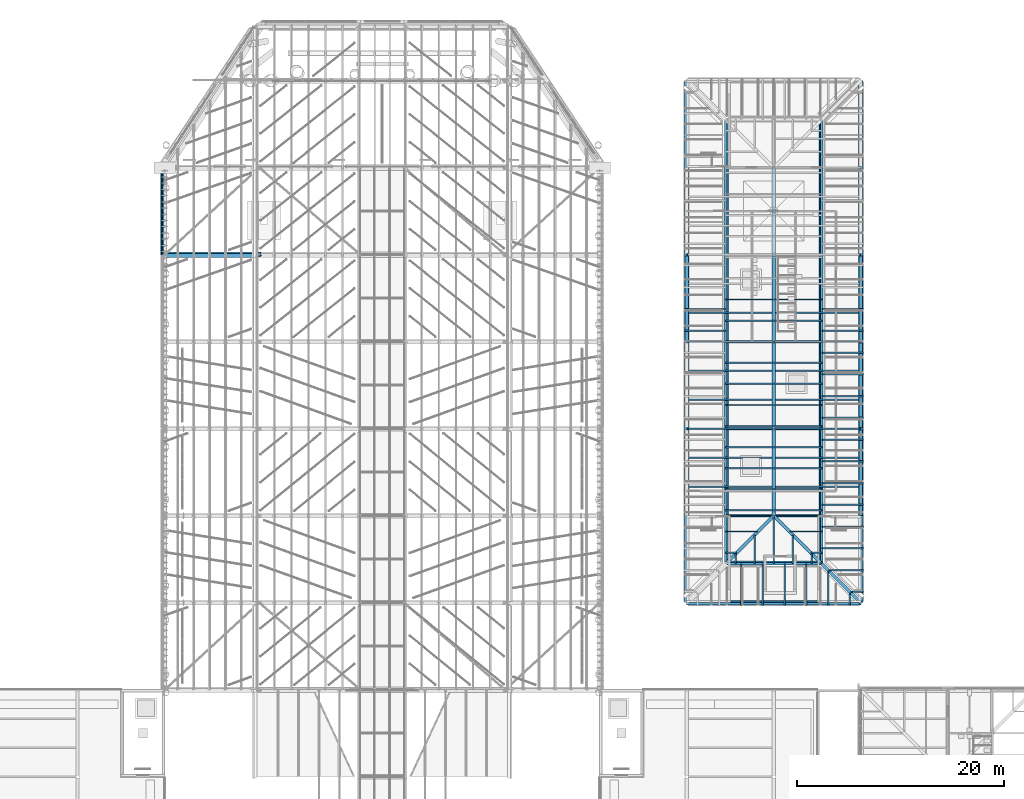
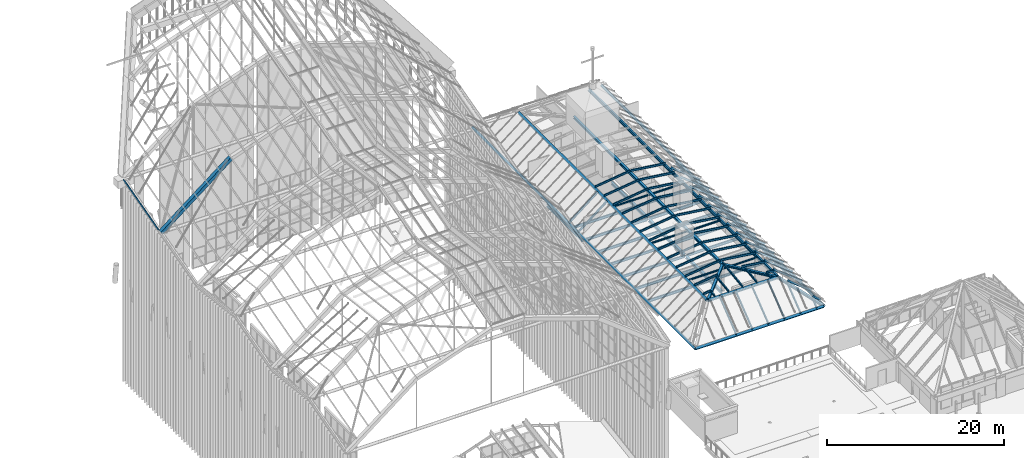
# One storey, part 50 of 126: 57 members, 32 beams.
"""IFC4 building model written with IfcOpenShell, lengths in metres."""

from ifc_helpers import new_model, si_unit, direction, frame, origin, origin_2d, place, context, subcontext, project, spatial, polyline, hollow_circle, i_section, outline, extrude, material, material_profile, profile_set, type_object, element, save


model = new_model("IFC4")

# Units and contexts
model_context = context("Model", 3, precision=1e-05, world=origin(), true_north=direction((0.0, 1.0)))
body_context = subcontext(model_context, "Body", "Model", "MODEL_VIEW")
ifc_project = project(units=[si_unit("LENGTHUNIT", "METRE"), si_unit("AREAUNIT", "SQUARE_METRE"), si_unit("VOLUMEUNIT", "CUBIC_METRE"), si_unit("PLANEANGLEUNIT", "RADIAN"), si_unit("MASSUNIT", "GRAM", prefix="KILO")], contexts=[model_context])

# Site, building, storey
site_placement = place(None, origin())
site = spatial("IfcSite", under=ifc_project, at=site_placement, CompositionType="ELEMENT")
building_placement = place(site_placement, origin())
building = spatial("IfcBuilding", under=site, at=building_placement, Name="Sava Quay Ferry Terminal", CompositionType="ELEMENT")
storey_placement = place(building_placement, frame((0.0, 0.0, 15.0)))
storey = spatial("IfcBuildingStorey", under=building, at=storey_placement, Name="L03", CompositionType="ELEMENT", Elevation=15.0)

# Beams
ifc_material_1 = material(Name="Steel S355", Category="steel")
ifc_material_profile_1 = material_profile(ifc_material_1, i_section(OverallWidth=0.169921875, OverallDepth=0.360107421875, WebThickness=0.008056640625, FlangeThickness=0.0126953125, at=origin_2d()), Name="IPE 360")
ifc_profile_set_1 = profile_set([ifc_material_profile_1], Name="Steel S355")
beam_type_1 = type_object("IfcBeamType", Name="Beam IPE 360", PredefinedType="BEAM", material=ifc_profile_set_1)
beam_1_placement = place(storey_placement, frame((92.530029296875, 75.60009765625, -0.31005859375), z_axis=(1.0, 0.0, 0.0), x_axis=(0.0, 1.0, 0.0)))
element("IfcBeam", 1, at=beam_1_placement, inside=storey, type_object=beam_type_1, Name="Beam L03", PredefinedType="BEAM", context=body_context, shape_type="SweptSolid", body=[
    extrude(i_section(OverallWidth=0.169921875, OverallDepth=0.360107421875, WebThickness=0.008056640625, FlangeThickness=0.0126953125, at=origin_2d()), origin(), (0.0, 0.0, 1.0), 8.139892578125),
])
beam_2_placement = place(storey_placement, frame((100.929931640625, 75.60009765625, -0.31005859375), z_axis=(1.0, 0.0, 0.0), x_axis=(0.0, 1.0, 0.0)))
element("IfcBeam", 2, at=beam_2_placement, inside=storey, type_object=beam_type_1, Name="Beam L03", PredefinedType="BEAM", context=body_context, shape_type="SweptSolid", body=[
    extrude(i_section(OverallWidth=0.169921875, OverallDepth=0.360107421875, WebThickness=0.008056640625, FlangeThickness=0.0126953125, at=origin_2d()), origin(), (0.0, 0.0, 1.0), 8.14013671875),
])
beam_3_placement = place(storey_placement, frame((92.530029296875, 84.0, -0.31005859375), z_axis=(1.0, 0.0, 0.0), x_axis=(0.0, 1.0, 0.0)))
element("IfcBeam", 3, at=beam_3_placement, inside=storey, type_object=beam_type_1, Name="Beam L03", PredefinedType="BEAM", context=body_context, shape_type="SweptSolid", body=[
    extrude(i_section(OverallWidth=0.169921875, OverallDepth=0.360107421875, WebThickness=0.008056640625, FlangeThickness=0.0126953125, at=origin_2d()), origin(), (0.0, 0.0, 1.0), 8.139892578125),
])
beam_4_placement = place(storey_placement, frame((100.929931640625, 84.0, -0.31005859375), z_axis=(1.0, 0.0, 0.0), x_axis=(0.0, 1.0, 0.0)))
element("IfcBeam", 4, at=beam_4_placement, inside=storey, type_object=beam_type_1, Name="Beam L03", PredefinedType="BEAM", context=body_context, shape_type="SweptSolid", body=[
    extrude(i_section(OverallWidth=0.169921875, OverallDepth=0.360107421875, WebThickness=0.008056640625, FlangeThickness=0.0126953125, at=origin_2d()), origin(), (0.0, 0.0, 1.0), 8.14013671875),
])
for number, where, z_axis, x_axis, name in (
    (5, (92.550048828125, 70.0, -0.31005859375), (1.0, 0.0, 0.0), (0.0, 1.0, 0.0), "Secondary beam L03"),
    (6, (92.550048828125, 72.800048828125, -0.31005859375), (1.0, 0.0, 0.0), (0.0, 1.0, 0.0), "Secondary beam L03"),
    (7, (92.550048828125, 78.39990234375, -0.31005859375), (1.0, 0.0, 0.0), (0.0, 1.0, 0.0), "Secondary beam L03"),
    (8, (92.550048828125, 81.199951171875, -0.31005859375), (1.0, 0.0, 0.0), (0.0, 1.0, 0.0), "Secondary beam L03"),
    (9, (92.550048828125, 86.800048828125, -0.31005859375), (1.0, 0.0, 0.0), (0.0, 1.0, 0.0), "Secondary beam L03"),
):
    element("IfcBeam", number, at=place(storey_placement, frame(where, z_axis=z_axis, x_axis=x_axis)), inside=storey, type_object=beam_type_1, Name=name, PredefinedType="BEAM", context=body_context, shape_type="SweptSolid", body=[
        extrude(i_section(OverallWidth=0.169921875, OverallDepth=0.360107421875, WebThickness=0.008056640625, FlangeThickness=0.0126953125, at=origin_2d()), origin(), (0.0, 0.0, 1.0), 8.099853515625),
    ])
for number, where, z_axis, x_axis, name in (
    (10, (100.949951171875, 70.0, -0.31005859375), (1.0, 0.0, 0.0), (0.0, 1.0, 0.0), "Secondary beam L03"),
    (11, (100.949951171875, 72.800048828125, -0.31005859375), (1.0, 0.0, 0.0), (0.0, 1.0, 0.0), "Secondary beam L03"),
    (12, (100.949951171875, 78.39990234375, -0.31005859375), (1.0, 0.0, 0.0), (0.0, 1.0, 0.0), "Secondary beam L03"),
    (13, (100.949951171875, 81.199951171875, -0.31005859375), (1.0, 0.0, 0.0), (0.0, 1.0, 0.0), "Secondary beam L03"),
    (14, (100.949951171875, 86.800048828125, -0.31005859375), (1.0, 0.0, 0.0), (0.0, 1.0, 0.0), "Secondary beam L03"),
):
    element("IfcBeam", number, at=place(storey_placement, frame(where, z_axis=z_axis, x_axis=x_axis)), inside=storey, type_object=beam_type_1, Name=name, PredefinedType="BEAM", context=body_context, shape_type="SweptSolid", body=[
        extrude(i_section(OverallWidth=0.169921875, OverallDepth=0.360107421875, WebThickness=0.008056640625, FlangeThickness=0.0126953125, at=origin_2d()), origin(), (0.0, 0.0, 1.0), 8.10009765625),
    ])
ifc_material_2 = material(Name="Steel S355", Category="steel")
ifc_material_profile_2 = material_profile(ifc_material_2, outline(polyline([(-0.199951171875, -0.300048828125), (0.199951171875, -0.300048828125), (0.199951171875, 0.300048828125), (-0.199951171875, 0.300048828125), (-0.199951171875, -0.300048828125)]), holes=[polyline([(-0.175048828125, -0.27490234375), (-0.175048828125, 0.27490234375), (0.175048828125, 0.27490234375), (0.175048828125, -0.27490234375), (-0.175048828125, -0.27490234375)])]), Name="Box 600x400x25 built-up")
ifc_profile_set_2 = profile_set([ifc_material_profile_2], Name="Steel S355")
beam_type_2 = type_object("IfcBeamType", Name="D folded rib Box 600x400x25", PredefinedType="BEAM", material=ifc_profile_set_2)
beam_5_placement = place(storey_placement, frame((42.0, 92.39990234375, 13.326904296875), z_axis=(0.788000093929, 0.0, 0.615675118847), x_axis=(-0.129744918998, 0.977543008469, 0.166059996949)))
element("IfcBeam", 15, at=beam_5_placement, inside=storey, type_object=beam_type_2, Name="Departure hall folded rib R5 seg 1", PredefinedType="BEAM", context=body_context, shape_type="SweptSolid", body=[
    extrude(outline(polyline([(-0.199951171875, -0.300048828125), (0.199951171875, -0.300048828125), (0.199951171875, 0.300048828125), (-0.199951171875, 0.300048828125), (-0.199951171875, -0.300048828125)]), holes=[polyline([(-0.175048828125, -0.27490234375), (-0.175048828125, 0.27490234375), (0.175048828125, 0.27490234375), (0.175048828125, -0.27490234375), (-0.175048828125, -0.27490234375)])]), origin(), (0.0, 0.0, 1.0), 11.586181640625),
])
ifc_material_3 = material(Name="Steel S355", Category="steel")
ifc_material_profile_3 = material_profile(ifc_material_3, i_section(OverallWidth=0.300048828125, OverallDepth=0.389892578125, WebThickness=0.010986328125, FlangeThickness=0.01904296875, at=origin_2d()), Name="HE 400 A")
ifc_profile_set_3 = profile_set([ifc_material_profile_3], Name="Steel S355")
beam_type_3 = type_object("IfcBeamType", Name="Girder HE 400 A", PredefinedType="BEAM", material=ifc_profile_set_3)
beam_6_placement = place(storey_placement, frame((100.800048828125, 67.330078125, -0.324951171875), z_axis=(0.0, 1.0, 0.0), x_axis=(-1.0, 0.0, 0.0)))
element("IfcBeam", 16, at=beam_6_placement, inside=storey, type_object=beam_type_3, Name="Girder L03", PredefinedType="BEAM", context=body_context, shape_type="SweptSolid", body=[
    extrude(i_section(OverallWidth=0.300048828125, OverallDepth=0.389892578125, WebThickness=0.010986328125, FlangeThickness=0.01904296875, at=origin_2d()), origin(), (0.0, 0.0, 1.0), 8.139892578125),
])
for number, where, z_axis, x_axis, name in (
    (17, (100.800048828125, 75.72998046875, -0.324951171875), (0.0, 1.0, 0.0), (-1.0, 0.0, 0.0), "Girder L03"),
    (18, (100.800048828125, 84.1298828125, -0.324951171875), (0.0, 1.0, 0.0), (-1.0, 0.0, 0.0), "Girder L03"),
    (19, (92.39990234375, 84.1298828125, -0.41162109375), (0.0, 1.0, 0.0), (-1.0, 0.0, 0.0), "Girder L03"),
):
    element("IfcBeam", number, at=place(storey_placement, frame(where, z_axis=z_axis, x_axis=x_axis)), inside=storey, type_object=beam_type_3, Name=name, PredefinedType="BEAM", context=body_context, shape_type="SweptSolid", body=[
        extrude(i_section(OverallWidth=0.300048828125, OverallDepth=0.389892578125, WebThickness=0.010986328125, FlangeThickness=0.01904296875, at=origin_2d()), origin(), (0.0, 0.0, 1.0), 8.14013671875),
    ])
beam_7_placement = place(storey_placement, frame((109.199951171875, 67.199951171875, -0.41162109375), z_axis=(0.0, 1.0, 0.0), x_axis=(-1.0, 0.0, 0.0)))
element("IfcBeam", 20, at=beam_7_placement, inside=storey, type_object=beam_type_3, Name="Girder L03", PredefinedType="BEAM", context=body_context, shape_type="SweptSolid", body=[
    extrude(i_section(OverallWidth=0.300048828125, OverallDepth=0.389892578125, WebThickness=0.010986328125, FlangeThickness=0.01904296875, at=origin_2d()), origin(), (0.0, 0.0, 1.0), 8.27001953125),
])
for number, where, z_axis, x_axis, name in (
    (21, (109.199951171875, 75.72998046875, -0.41162109375), (0.0, 1.0, 0.0), (-1.0, 0.0, 0.0), "Girder L03"),
    (22, (109.199951171875, 84.1298828125, -0.41162109375), (0.0, 1.0, 0.0), (-1.0, 0.0, 0.0), "Girder L03"),
):
    element("IfcBeam", number, at=place(storey_placement, frame(where, z_axis=z_axis, x_axis=x_axis)), inside=storey, type_object=beam_type_3, Name=name, PredefinedType="BEAM", context=body_context, shape_type="SweptSolid", body=[
        extrude(i_section(OverallWidth=0.300048828125, OverallDepth=0.389892578125, WebThickness=0.010986328125, FlangeThickness=0.01904296875, at=origin_2d()), origin(), (0.0, 0.0, 1.0), 8.14013671875),
    ])

# Members
ifc_material_4 = material(Name="Steel S355", Category="steel")
ifc_material_profile_4 = material_profile(ifc_material_4, hollow_circle(Radius=0.122314453125, WallThickness=0.008056640625, at=origin_2d()), Name="CHS 244.5 x 8.0")
ifc_profile_set_4 = profile_set([ifc_material_profile_4], Name="Steel S355")
member_type_1 = type_object("IfcMemberType", Name="Knee tie CHS 244.5x8", PredefinedType="USERDEFINED", material=ifc_profile_set_4)
for number, where, z_axis, x_axis, name in (
    (23, (96.21826171875, 67.199951171875, 3.0), (1.0, 0.0, 0.0), (0.0, 1.0, 0.0), "Mansard knee tie O-tie.0"),
    (24, (96.21826171875, 75.60009765625, 3.0), (1.0, 0.0, 0.0), (0.0, 1.0, 0.0), "Mansard knee tie O-tie.1"),
    (25, (96.21826171875, 84.0, 3.0), (1.0, 0.0, 0.0), (0.0, 1.0, 0.0), "Mansard knee tie O-tie.2"),
):
    element("IfcMember", number, at=place(storey_placement, frame(where, z_axis=z_axis, x_axis=x_axis)), inside=storey, type_object=member_type_1, Name=name, ObjectType="KNEE TIE", PredefinedType="USERDEFINED", context=body_context, shape_type="SweptSolid", body=[
        extrude(hollow_circle(Radius=0.122314453125, WallThickness=0.008056640625, at=origin_2d()), origin(), (0.0, 0.0, 1.0), 9.16357421875),
    ])

# Beams
ifc_material_5 = material(Name="Steel S355", Category="steel")
ifc_material_profile_5 = material_profile(ifc_material_5, i_section(OverallWidth=0.300048828125, OverallDepth=0.2900390625, WebThickness=0.008544921875, FlangeThickness=0.013916015625, at=origin_2d()), Name="HE 300 A")
ifc_profile_set_5 = profile_set([ifc_material_profile_5], Name="Steel S355")
beam_type_4 = type_object("IfcBeamType", Name="Mansard beam HE 300 A", PredefinedType="BEAM", material=ifc_profile_set_5)
beam_8_placement = place(storey_placement, frame((96.21826171875, 62.6181640625, 3.0), z_axis=(1.0, 0.0, 0.0), x_axis=(0.0, 0.921802970652, 0.387658720137)))
element("IfcBeam", 26, at=beam_8_placement, inside=storey, type_object=beam_type_4, Name="Mansard knee beam knee.0", PredefinedType="BEAM", context=body_context, shape_type="SweptSolid", body=[
    extrude(i_section(OverallWidth=0.300048828125, OverallDepth=0.2900390625, WebThickness=0.008544921875, FlangeThickness=0.013916015625, at=origin_2d()), origin(), (0.0, 0.0, 1.0), 9.16357421875),
])
beam_9_placement = place(storey_placement, frame((92.39990234375, 58.800048828125, 0.0), z_axis=(1.0, 0.0, 0.0), x_axis=(0.0, 0.786318338826, 0.617821551927)))
element("IfcBeam", 27, at=beam_9_placement, inside=storey, type_object=beam_type_4, Name="Mansard eave beam eave.0", PredefinedType="BEAM", context=body_context, shape_type="SweptSolid", body=[
    extrude(i_section(OverallWidth=0.300048828125, OverallDepth=0.2900390625, WebThickness=0.008544921875, FlangeThickness=0.013916015625, at=origin_2d()), origin(), (0.0, 0.0, 1.0), 16.800048828125),
])
beam_10_placement = place(storey_placement, frame((109.199951171875, 58.800048828125, 0.0), z_axis=(-0.618112557481, 0.618112557481, 0.485668335976), x_axis=(-0.707106781187, -0.707106781187, 0.0)))
element("IfcBeam", 28, at=beam_10_placement, inside=storey, type_object=beam_type_4, Name="Mansard hip beam hip.E1", PredefinedType="BEAM", context=body_context, shape_type="SweptSolid", body=[
    extrude(i_section(OverallWidth=0.300048828125, OverallDepth=0.2900390625, WebThickness=0.008544921875, FlangeThickness=0.013916015625, at=origin_2d()), origin(), (0.0, 0.0, 1.0), 6.177001953125),
])
beam_11_placement = place(storey_placement, frame((105.3818359375, 62.6181640625, 3.0), z_axis=(0.0, 1.0, 0.0), x_axis=(-0.921802970652, 0.0, 0.387658720137)))
element("IfcBeam", 29, at=beam_11_placement, inside=storey, type_object=beam_type_4, Name="Mansard knee beam knee.1", PredefinedType="BEAM", context=body_context, shape_type="SweptSolid", body=[
    extrude(i_section(OverallWidth=0.300048828125, OverallDepth=0.2900390625, WebThickness=0.008544921875, FlangeThickness=0.013916015625, at=origin_2d()), origin(), (0.0, 0.0, 1.0), 42.763671875),
])
beam_12_placement = place(storey_placement, frame((109.199951171875, 58.800048828125, 0.0), z_axis=(0.0, 1.0, 0.0), x_axis=(-0.786318338826, 0.0, 0.617821551927)))
element("IfcBeam", 30, at=beam_12_placement, inside=storey, type_object=beam_type_4, Name="Mansard eave beam eave.1", PredefinedType="BEAM", context=body_context, shape_type="SweptSolid", body=[
    extrude(i_section(OverallWidth=0.300048828125, OverallDepth=0.2900390625, WebThickness=0.008544921875, FlangeThickness=0.013916015625, at=origin_2d()), origin(), (0.0, 0.0, 1.0), 50.39990234375),
])
beam_13_placement = place(storey_placement, frame((96.21826171875, 105.3818359375, 3.0), z_axis=(0.0, -1.0, 0.0), x_axis=(0.921802970652, 0.0, 0.387658720137)))
element("IfcBeam", 31, at=beam_13_placement, inside=storey, type_object=beam_type_4, Name="Mansard knee beam knee.3", PredefinedType="BEAM", context=body_context, shape_type="SweptSolid", body=[
    extrude(i_section(OverallWidth=0.300048828125, OverallDepth=0.2900390625, WebThickness=0.008544921875, FlangeThickness=0.013916015625, at=origin_2d()), origin(), (0.0, 0.0, 1.0), 42.763671875),
])
beam_14_placement = place(storey_placement, frame((92.39990234375, 109.199951171875, 0.0), z_axis=(0.0, -1.0, 0.0), x_axis=(0.786318338826, 0.0, 0.617821551927)))
element("IfcBeam", 32, at=beam_14_placement, inside=storey, type_object=beam_type_4, Name="Mansard eave beam eave.3", PredefinedType="BEAM", context=body_context, shape_type="SweptSolid", body=[
    extrude(i_section(OverallWidth=0.300048828125, OverallDepth=0.2900390625, WebThickness=0.008544921875, FlangeThickness=0.013916015625, at=origin_2d()), origin(), (0.0, 0.0, 1.0), 50.39990234375),
])
for number, where, z_axis, x_axis, name in (
    (33, (96.21826171875, 62.6181640625, 3.0), (0.704093662632, 0.704093662632, 0.092218373888), (-0.707106781187, 0.707106781187, 0.0), "Mansard hip beam hip.K0"),
    (34, (105.3818359375, 62.6181640625, 3.0), (-0.704093662632, 0.704093662632, 0.092218373888), (-0.707106781187, -0.707106781187, 0.0), "Mansard hip beam hip.K1"),
):
    element("IfcBeam", number, at=place(storey_placement, frame(where, z_axis=z_axis, x_axis=x_axis)), inside=storey, type_object=beam_type_4, Name=name, PredefinedType="BEAM", context=body_context, shape_type="SweptSolid", body=[
        extrude(i_section(OverallWidth=0.300048828125, OverallDepth=0.2900390625, WebThickness=0.008544921875, FlangeThickness=0.013916015625, at=origin_2d()), origin(), (0.0, 0.0, 1.0), 6.50732421875),
    ])
beam_15_placement = place(storey_placement, frame((100.800048828125, 67.199951171875, 3.60009765625), z_axis=(0.0, 1.0, 0.0), x_axis=(-1.0, 0.0, 0.0)))
element("IfcBeam", 35, at=beam_15_placement, inside=storey, type_object=beam_type_4, Name="Mansard ridge beam ridge", PredefinedType="BEAM", context=body_context, shape_type="SweptSolid", body=[
    extrude(i_section(OverallWidth=0.300048828125, OverallDepth=0.2900390625, WebThickness=0.008544921875, FlangeThickness=0.013916015625, at=origin_2d()), origin(), (0.0, 0.0, 1.0), 33.60009765625),
])

# Members
ifc_material_6 = material(Name="Steel S355", Category="steel")
ifc_material_profile_6 = material_profile(ifc_material_6, i_section(OverallWidth=0.135009765625, OverallDepth=0.27001953125, WebThickness=0.006591796875, FlangeThickness=0.01025390625, at=origin_2d()), Name="IPE 270")
ifc_profile_set_6 = profile_set([ifc_material_profile_6], Name="Steel S355")
member_type_2 = type_object("IfcMemberType", Name="Mansard rafter IPE 270", PredefinedType="RAFTER", material=ifc_profile_set_6)
for number, where, z_axis, x_axis, name in (
    (36, (97.64990234375, 58.626953125, 0.22021484375), (0.0, 0.786332295644, 0.617803788291), (-1.0, 0.0, 0.0), "Mansard rafter O-L0-RA2"),
    (37, (99.75, 58.626953125, 0.22021484375), (0.0, 0.786332295644, 0.617803788291), (-1.0, 0.0, 0.0), "Mansard rafter O-L0-RA3"),
    (38, (101.85009765625, 58.626953125, 0.22021484375), (0.0, 0.786332295644, 0.617803788291), (-1.0, 0.0, 0.0), "Mansard rafter O-L0-RA4"),
    (39, (103.949951171875, 58.626953125, 0.22021484375), (0.0, 0.786332295644, 0.617803788291), (-1.0, 0.0, 0.0), "Mansard rafter O-L0-RA5"),
):
    element("IfcMember", number, at=place(storey_placement, frame(where, z_axis=z_axis, x_axis=x_axis)), inside=storey, type_object=member_type_2, Name=name, PredefinedType="RAFTER", context=body_context, shape_type="SweptSolid", body=[
        extrude(i_section(OverallWidth=0.135009765625, OverallDepth=0.27001953125, WebThickness=0.006591796875, FlangeThickness=0.01025390625, at=origin_2d()), origin(), (0.0, 0.0, 1.0), 4.85595703125),
    ])
member_1_placement = place(storey_placement, frame((106.050048828125, 58.626953125, 0.22021484375), z_axis=(0.0, 0.786350059008, 0.617781178653), x_axis=(-1.0, 0.0, 0.0)))
element("IfcMember", 40, at=member_1_placement, inside=storey, type_object=member_type_2, Name="Mansard rafter O-L0-RA6", PredefinedType="RAFTER", context=body_context, shape_type="SweptSolid", body=[
    extrude(i_section(OverallWidth=0.135009765625, OverallDepth=0.27001953125, WebThickness=0.006591796875, FlangeThickness=0.01025390625, at=origin_2d()), origin(), (0.0, 0.0, 1.0), 4.006103515625),
])
for number, where, z_axis, x_axis, name in (
    (41, (108.14990234375, 58.626953125, 0.22021484375), (0.0, 0.786350059008, 0.617781178653), (-1.0, 0.0, 0.0), "Mansard rafter O-L0-RA7"),
    (42, (109.373046875, 59.85009765625, 0.22021484375), (-0.786350059008, 0.0, 0.617781178653), (0.0, -1.0, 0.0), "Mansard rafter O-L1-RA0"),
):
    element("IfcMember", number, at=place(storey_placement, frame(where, z_axis=z_axis, x_axis=x_axis)), inside=storey, type_object=member_type_2, Name=name, PredefinedType="RAFTER", context=body_context, shape_type="SweptSolid", body=[
        extrude(i_section(OverallWidth=0.135009765625, OverallDepth=0.27001953125, WebThickness=0.006591796875, FlangeThickness=0.01025390625, at=origin_2d()), origin(), (0.0, 0.0, 1.0), 1.33544921875),
    ])
member_2_placement = place(storey_placement, frame((109.373046875, 61.949951171875, 0.22021484375), z_axis=(-0.786350059008, 0.0, 0.617781178653), x_axis=(0.0, -1.0, 0.0)))
element("IfcMember", 43, at=member_2_placement, inside=storey, type_object=member_type_2, Name="Mansard rafter O-L1-RA1", PredefinedType="RAFTER", context=body_context, shape_type="SweptSolid", body=[
    extrude(i_section(OverallWidth=0.135009765625, OverallDepth=0.27001953125, WebThickness=0.006591796875, FlangeThickness=0.01025390625, at=origin_2d()), origin(), (0.0, 0.0, 1.0), 4.006103515625),
])
for number, where, z_axis, x_axis, name in (
    (44, (109.373046875, 64.050048828125, 0.22021484375), (-0.786332295644, 0.0, 0.617803788291), (0.0, -1.0, 0.0), "Mansard rafter O-L1-RA2"),
    (45, (109.373046875, 66.14990234375, 0.22021484375), (-0.786332295644, 0.0, 0.617803788291), (0.0, -1.0, 0.0), "Mansard rafter O-L1-RA3"),
    (46, (109.373046875, 68.25, 0.22021484375), (-0.786332295644, 0.0, 0.617803788291), (0.0, -1.0, 0.0), "Mansard rafter O-L1-RA4"),
    (47, (109.373046875, 70.35009765625, 0.22021484375), (-0.786332295644, 0.0, 0.617803788291), (0.0, -1.0, 0.0), "Mansard rafter O-L1-RA5"),
    (48, (109.373046875, 72.449951171875, 0.22021484375), (-0.786332295644, 0.0, 0.617803788291), (0.0, -1.0, 0.0), "Mansard rafter O-L1-RA6"),
    (49, (109.373046875, 74.550048828125, 0.22021484375), (-0.786332295644, 0.0, 0.617803788291), (0.0, -1.0, 0.0), "Mansard rafter O-L1-RA7"),
    (50, (109.373046875, 76.64990234375, 0.22021484375), (-0.786332295644, 0.0, 0.617803788291), (0.0, -1.0, 0.0), "Mansard rafter O-L1-RA8"),
    (51, (109.373046875, 78.75, 0.22021484375), (-0.786332295644, 0.0, 0.617803788291), (0.0, -1.0, 0.0), "Mansard rafter O-L1-RA9"),
    (52, (109.373046875, 80.85009765625, 0.22021484375), (-0.786332295644, 0.0, 0.617803788291), (0.0, -1.0, 0.0), "Mansard rafter O-L1-RA10"),
    (53, (109.373046875, 82.949951171875, 0.22021484375), (-0.786332295644, 0.0, 0.617803788291), (0.0, -1.0, 0.0), "Mansard rafter O-L1-RA11"),
    (54, (109.373046875, 85.050048828125, 0.22021484375), (-0.786332295644, 0.0, 0.617803788291), (0.0, -1.0, 0.0), "Mansard rafter O-L1-RA12"),
    (55, (109.373046875, 87.14990234375, 0.22021484375), (-0.786332295644, 0.0, 0.617803788291), (0.0, -1.0, 0.0), "Mansard rafter O-L1-RA13"),
):
    element("IfcMember", number, at=place(storey_placement, frame(where, z_axis=z_axis, x_axis=x_axis)), inside=storey, type_object=member_type_2, Name=name, PredefinedType="RAFTER", context=body_context, shape_type="SweptSolid", body=[
        extrude(i_section(OverallWidth=0.135009765625, OverallDepth=0.27001953125, WebThickness=0.006591796875, FlangeThickness=0.01025390625, at=origin_2d()), origin(), (0.0, 0.0, 1.0), 4.85595703125),
    ])
for number, where, z_axis, x_axis, name in (
    (56, (92.22705078125, 87.14990234375, 0.22021484375), (0.786313104704, 0.0, 0.617828213479), (0.0, 1.0, 0.0), "Mansard rafter O-L3-RA10"),
    (57, (92.22705078125, 85.050048828125, 0.22021484375), (0.786313104704, 0.0, 0.617828213479), (0.0, 1.0, 0.0), "Mansard rafter O-L3-RA11"),
):
    element("IfcMember", number, at=place(storey_placement, frame(where, z_axis=z_axis, x_axis=x_axis)), inside=storey, type_object=member_type_2, Name=name, PredefinedType="RAFTER", context=body_context, shape_type="SweptSolid", body=[
        extrude(i_section(OverallWidth=0.135009765625, OverallDepth=0.27001953125, WebThickness=0.006591796875, FlangeThickness=0.01025390625, at=origin_2d()), origin(), (0.0, 0.0, 1.0), 4.855712890625),
    ])
member_3_placement = place(storey_placement, frame((97.134521484375, 62.581787109375, 3.277587890625), z_axis=(0.0, 0.991520692021, 0.12994890263), x_axis=(-1.0, 0.0, 0.0)))
element("IfcMember", 58, at=member_3_placement, inside=storey, type_object=member_type_2, Name="Mansard rafter O-U0-RA0", PredefinedType="RAFTER", context=body_context, shape_type="SweptSolid", body=[
    extrude(i_section(OverallWidth=0.135009765625, OverallDepth=0.27001953125, WebThickness=0.006591796875, FlangeThickness=0.01025390625, at=origin_2d()), origin(), (0.0, 0.0, 1.0), 0.92431640625),
])
member_4_placement = place(storey_placement, frame((98.96728515625, 62.581787109375, 3.277587890625), z_axis=(0.0, 0.991529061919, 0.129885023653), x_axis=(-1.0, 0.0, 0.0)))
element("IfcMember", 59, at=member_4_placement, inside=storey, type_object=member_type_2, Name="Mansard rafter O-U0-RA1", PredefinedType="RAFTER", context=body_context, shape_type="SweptSolid", body=[
    extrude(i_section(OverallWidth=0.135009765625, OverallDepth=0.27001953125, WebThickness=0.006591796875, FlangeThickness=0.01025390625, at=origin_2d()), origin(), (0.0, 0.0, 1.0), 2.7724609375),
])
member_5_placement = place(storey_placement, frame((100.800048828125, 62.581787109375, 3.277587890625), z_axis=(0.0, 0.991531626892, 0.129865441408), x_axis=(-1.0, 0.0, 0.0)))
element("IfcMember", 60, at=member_5_placement, inside=storey, type_object=member_type_2, Name="Mansard rafter O-U0-RA2", PredefinedType="RAFTER", context=body_context, shape_type="SweptSolid", body=[
    extrude(i_section(OverallWidth=0.135009765625, OverallDepth=0.27001953125, WebThickness=0.006591796875, FlangeThickness=0.01025390625, at=origin_2d()), origin(), (0.0, 0.0, 1.0), 4.620849609375),
])
member_6_placement = place(storey_placement, frame((102.6328125, 62.581787109375, 3.277587890625), z_axis=(0.0, 0.991529061919, 0.129885023653), x_axis=(-1.0, 0.0, 0.0)))
element("IfcMember", 61, at=member_6_placement, inside=storey, type_object=member_type_2, Name="Mansard rafter O-U0-RA3", PredefinedType="RAFTER", context=body_context, shape_type="SweptSolid", body=[
    extrude(i_section(OverallWidth=0.135009765625, OverallDepth=0.27001953125, WebThickness=0.006591796875, FlangeThickness=0.01025390625, at=origin_2d()), origin(), (0.0, 0.0, 1.0), 2.7724609375),
])
member_7_placement = place(storey_placement, frame((104.465576171875, 62.581787109375, 3.277587890625), z_axis=(0.0, 0.991520692021, 0.12994890263), x_axis=(-1.0, 0.0, 0.0)))
element("IfcMember", 62, at=member_7_placement, inside=storey, type_object=member_type_2, Name="Mansard rafter O-U0-RA4", PredefinedType="RAFTER", context=body_context, shape_type="SweptSolid", body=[
    extrude(i_section(OverallWidth=0.135009765625, OverallDepth=0.27001953125, WebThickness=0.006591796875, FlangeThickness=0.01025390625, at=origin_2d()), origin(), (0.0, 0.0, 1.0), 0.92431640625),
])
member_8_placement = place(storey_placement, frame((105.418212890625, 63.636474609375, 3.277587890625), z_axis=(-0.991540654163, 0.0, 0.129796498963), x_axis=(0.0, -1.0, 0.0)))
element("IfcMember", 63, at=member_8_placement, inside=storey, type_object=member_type_2, Name="Mansard rafter O-U1-RA0", PredefinedType="RAFTER", context=body_context, shape_type="SweptSolid", body=[
    extrude(i_section(OverallWidth=0.135009765625, OverallDepth=0.27001953125, WebThickness=0.006591796875, FlangeThickness=0.01025390625, at=origin_2d()), origin(), (0.0, 0.0, 1.0), 1.027099609375),
])
member_9_placement = place(storey_placement, frame((105.418212890625, 65.672607421875, 3.277587890625), z_axis=(-0.991529116301, 0.0, 0.129884608505), x_axis=(0.0, -1.0, 0.0)))
element("IfcMember", 64, at=member_9_placement, inside=storey, type_object=member_type_2, Name="Mansard rafter O-U1-RA1", PredefinedType="RAFTER", context=body_context, shape_type="SweptSolid", body=[
    extrude(i_section(OverallWidth=0.135009765625, OverallDepth=0.27001953125, WebThickness=0.006591796875, FlangeThickness=0.01025390625, at=origin_2d()), origin(), (0.0, 0.0, 1.0), 3.080810546875),
])
for number, where, z_axis, x_axis, name in (
    (65, (105.418212890625, 67.708984375, 3.277587890625), (-0.991531626892, 0.0, 0.129865441408), (0.0, -1.0, 0.0), "Mansard rafter O-U1-RA2"),
    (66, (105.418212890625, 69.745361328125, 3.277587890625), (-0.991531626892, 0.0, 0.129865441408), (0.0, -1.0, 0.0), "Mansard rafter O-U1-RA3"),
    (67, (105.418212890625, 71.78173828125, 3.277587890625), (-0.991531626892, 0.0, 0.129865441408), (0.0, -1.0, 0.0), "Mansard rafter O-U1-RA4"),
    (68, (105.418212890625, 73.818115234375, 3.277587890625), (-0.991531626892, 0.0, 0.129865441408), (0.0, -1.0, 0.0), "Mansard rafter O-U1-RA5"),
    (69, (105.418212890625, 75.8544921875, 3.277587890625), (-0.991531626892, 0.0, 0.129865441408), (0.0, -1.0, 0.0), "Mansard rafter O-U1-RA6"),
    (70, (105.418212890625, 77.890869140625, 3.277587890625), (-0.991531626892, 0.0, 0.129865441408), (0.0, -1.0, 0.0), "Mansard rafter O-U1-RA7"),
    (71, (105.418212890625, 79.92724609375, 3.277587890625), (-0.991531626892, 0.0, 0.129865441408), (0.0, -1.0, 0.0), "Mansard rafter O-U1-RA8"),
    (72, (105.418212890625, 81.963623046875, 3.277587890625), (-0.991531626892, 0.0, 0.129865441408), (0.0, -1.0, 0.0), "Mansard rafter O-U1-RA9"),
    (73, (105.418212890625, 84.0, 3.277587890625), (-0.991531626892, 0.0, 0.129865441408), (0.0, -1.0, 0.0), "Mansard rafter O-U1-RA10"),
    (74, (105.418212890625, 86.036376953125, 3.277587890625), (-0.991531626892, 0.0, 0.129865441408), (0.0, -1.0, 0.0), "Mansard rafter O-U1-RA11"),
    (75, (105.418212890625, 88.07275390625, 3.277587890625), (-0.991531626892, 0.0, 0.129865441408), (0.0, -1.0, 0.0), "Mansard rafter O-U1-RA12"),
    (76, (96.181884765625, 88.07275390625, 3.277587890625), (0.991531626892, 0.0, 0.129865441408), (0.0, 1.0, 0.0), "Mansard rafter O-U3-RA8"),
    (77, (96.181884765625, 86.036376953125, 3.277587890625), (0.991531626892, 0.0, 0.129865441408), (0.0, 1.0, 0.0), "Mansard rafter O-U3-RA9"),
    (78, (96.181884765625, 84.0, 3.277587890625), (0.991531626892, 0.0, 0.129865441408), (0.0, 1.0, 0.0), "Mansard rafter O-U3-RA10"),
    (79, (96.181884765625, 81.963623046875, 3.277587890625), (0.991531626892, 0.0, 0.129865441408), (0.0, 1.0, 0.0), "Mansard rafter O-U3-RA11"),
    (80, (96.181884765625, 79.92724609375, 3.277587890625), (0.991531626892, 0.0, 0.129865441408), (0.0, 1.0, 0.0), "Mansard rafter O-U3-RA12"),
    (81, (96.181884765625, 77.890869140625, 3.277587890625), (0.991531626892, 0.0, 0.129865441408), (0.0, 1.0, 0.0), "Mansard rafter O-U3-RA13"),
    (82, (96.181884765625, 75.8544921875, 3.277587890625), (0.991531626892, 0.0, 0.129865441408), (0.0, 1.0, 0.0), "Mansard rafter O-U3-RA14"),
    (83, (96.181884765625, 73.818115234375, 3.277587890625), (0.991531626892, 0.0, 0.129865441408), (0.0, 1.0, 0.0), "Mansard rafter O-U3-RA15"),
    (84, (96.181884765625, 71.78173828125, 3.277587890625), (0.991531626892, 0.0, 0.129865441408), (0.0, 1.0, 0.0), "Mansard rafter O-U3-RA16"),
    (85, (96.181884765625, 69.745361328125, 3.277587890625), (0.991531626892, 0.0, 0.129865441408), (0.0, 1.0, 0.0), "Mansard rafter O-U3-RA17"),
    (86, (96.181884765625, 67.708984375, 3.277587890625), (0.991531626892, 0.0, 0.129865441408), (0.0, 1.0, 0.0), "Mansard rafter O-U3-RA18"),
):
    element("IfcMember", number, at=place(storey_placement, frame(where, z_axis=z_axis, x_axis=x_axis)), inside=storey, type_object=member_type_2, Name=name, PredefinedType="RAFTER", context=body_context, shape_type="SweptSolid", body=[
        extrude(i_section(OverallWidth=0.135009765625, OverallDepth=0.27001953125, WebThickness=0.006591796875, FlangeThickness=0.01025390625, at=origin_2d()), origin(), (0.0, 0.0, 1.0), 4.620849609375),
    ])
member_10_placement = place(storey_placement, frame((96.181884765625, 65.672607421875, 3.277587890625), z_axis=(0.991527779259, 0.0, 0.129894814979), x_axis=(0.0, 1.0, 0.0)))
element("IfcMember", 87, at=member_10_placement, inside=storey, type_object=member_type_2, Name="Mansard rafter O-U3-RA19", PredefinedType="RAFTER", context=body_context, shape_type="SweptSolid", body=[
    extrude(i_section(OverallWidth=0.135009765625, OverallDepth=0.27001953125, WebThickness=0.006591796875, FlangeThickness=0.01025390625, at=origin_2d()), origin(), (0.0, 0.0, 1.0), 3.08056640625),
])
member_11_placement = place(storey_placement, frame((96.181884765625, 63.636474609375, 3.277587890625), z_axis=(0.991536647804, 0.0, 0.129827100648), x_axis=(0.0, 1.0, 0.0)))
element("IfcMember", 88, at=member_11_placement, inside=storey, type_object=member_type_2, Name="Mansard rafter O-U3-RA20", PredefinedType="RAFTER", context=body_context, shape_type="SweptSolid", body=[
    extrude(i_section(OverallWidth=0.135009765625, OverallDepth=0.27001953125, WebThickness=0.006591796875, FlangeThickness=0.01025390625, at=origin_2d()), origin(), (0.0, 0.0, 1.0), 1.02685546875),
])
ifc_material_7 = material(Name="Steel S355", Category="steel")
ifc_material_profile_7 = material_profile(ifc_material_7, i_section(OverallWidth=0.135009765625, OverallDepth=0.27001953125, WebThickness=0.006591796875, FlangeThickness=0.01025390625, at=origin_2d()), Name="IPE 270")
ifc_profile_set_7 = profile_set([ifc_material_profile_7], Name="Steel S355")
member_type_3 = type_object("IfcMemberType", Name="Roof purlin IPE 270", PredefinedType="PURLIN", material=ifc_profile_set_7)
member_12_placement = place(storey_placement, frame((41.73828125, 92.39990234375, 13.687255859375), z_axis=(0.0, 0.964558571259, 0.263868835997), x_axis=(-0.798620025874, 0.158805651527, -0.580505658297)))
element("IfcMember", 89, at=member_12_placement, inside=storey, type_object=member_type_3, Name="Departure hall edge purlin bay 6 V0", PredefinedType="PURLIN", context=body_context, shape_type="SweptSolid", body=[
    extrude(i_section(OverallWidth=0.135009765625, OverallDepth=0.27001953125, WebThickness=0.006591796875, FlangeThickness=0.01025390625, at=origin_2d()), origin(), (0.0, 0.0, 1.0), 8.24658203125),
])

save(model, "model.ifc")
